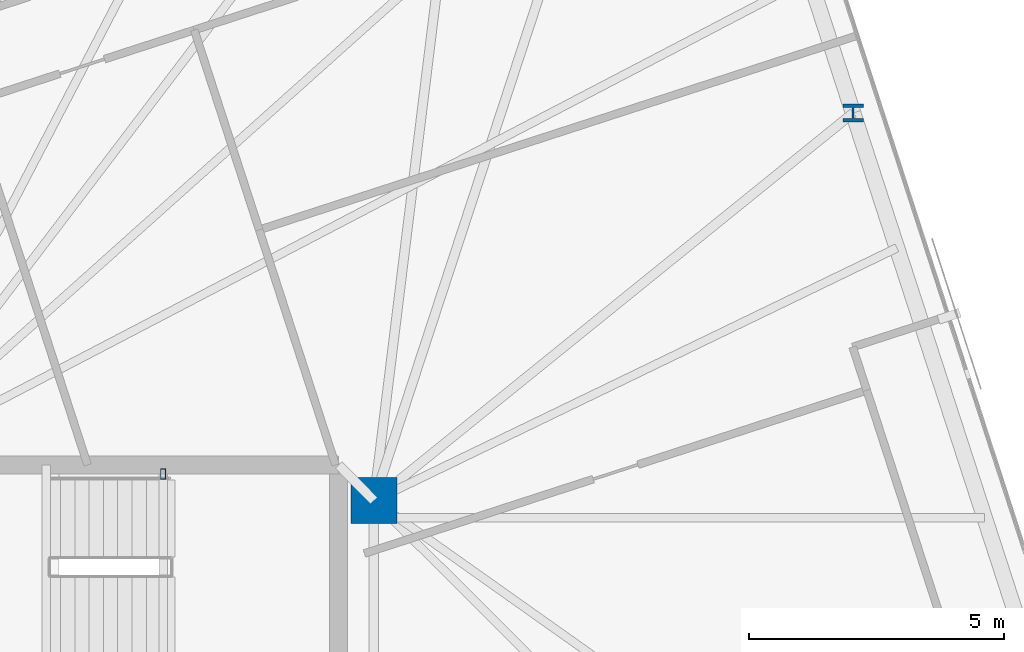
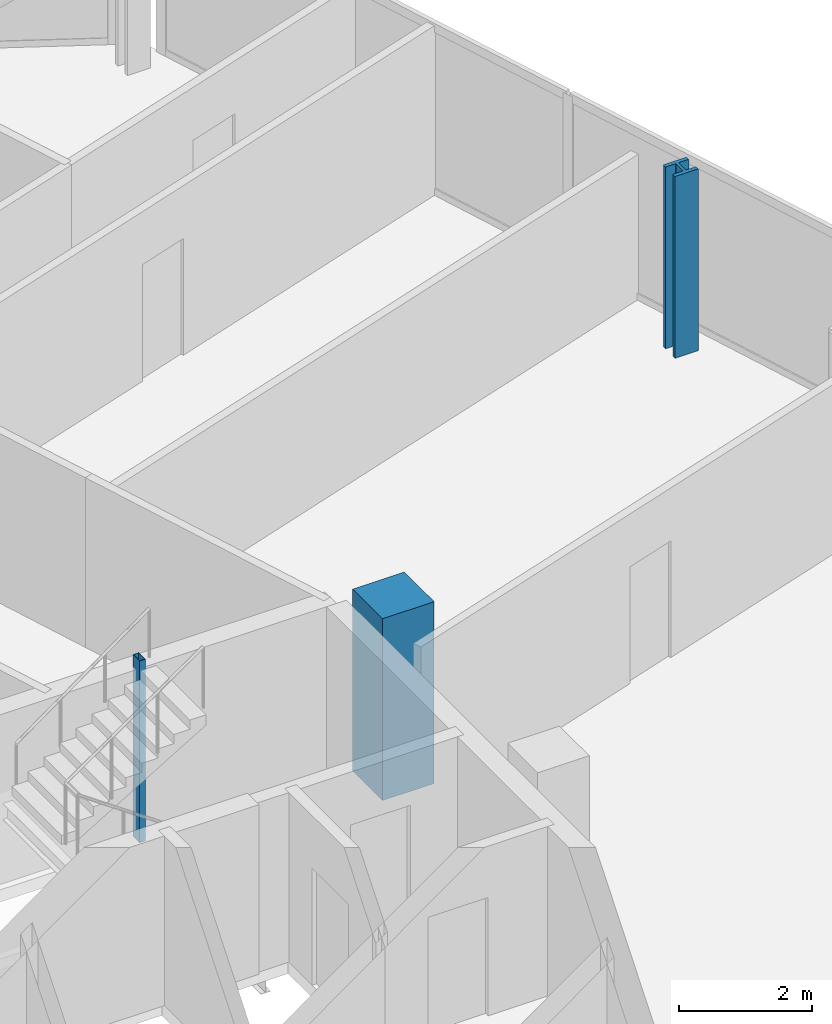
# One storey, part 3 of 20: 3 columns.
"""IFC4 building model written with IfcOpenShell, lengths in metres."""

from ifc_helpers import new_model, si_unit, direction, frame, origin, origin_2d, place, context, subcontext, project, spatial, rectangle, hollow_rectangle, i_section, extrude, material, material_profile, profile_set, type_object, element, save


model = new_model("IFC4")

# Units and contexts
model_context = context("Model", 3, precision=1e-05, world=origin(), true_north=direction((0.0, 1.0)))
body_context = subcontext(model_context, "Body", "Model", "MODEL_VIEW")
ifc_project = project(units=[si_unit("LENGTHUNIT", "METRE"), si_unit("AREAUNIT", "SQUARE_METRE"), si_unit("VOLUMEUNIT", "CUBIC_METRE"), si_unit("PLANEANGLEUNIT", "RADIAN"), si_unit("MASSUNIT", "GRAM", prefix="KILO")], contexts=[model_context])

# Site, building, storey
site_placement = place(None, origin())
site = spatial("IfcSite", under=ifc_project, at=site_placement, CompositionType="ELEMENT")
building_placement = place(site_placement, origin())
building = spatial("IfcBuilding", under=site, at=building_placement, Name="Menara Jurai Vektor", CompositionType="ELEMENT")
storey_placement = place(building_placement, frame((0.0, 0.0, 217.60009765625)))
storey = spatial("IfcBuildingStorey", under=building, at=storey_placement, Name="L57", CompositionType="ELEMENT", Elevation=217.60009765625)

# Columns
ifc_material_1 = material(Name="Concrete C50/60", Category="concrete")
ifc_material_profile_1 = material_profile(ifc_material_1, rectangle(XDim=0.89990234375, YDim=0.89990234375, at=origin_2d()), Name="RC 900x900")
ifc_profile_set_1 = profile_set([ifc_material_profile_1], Name="Concrete C50/60")
column_type_1 = type_object("IfcColumnType", Name="STR-COL-RC900", PredefinedType="COLUMN", material=ifc_profile_set_1)
column_1_placement = place(storey_placement, frame((15.25, 4.89990234375, 0.0), z_axis=(0.0, 0.0, 1.0), x_axis=(1.0, 0.0, 0.0)))
element("IfcColumn", 1, at=column_1_placement, inside=storey, type_object=column_type_1, Name="Core Spine Column CE-NE L57", PredefinedType="COLUMN", context=body_context, shape_type="SweptSolid", body=[
    extrude(rectangle(XDim=0.89990234375, YDim=0.89990234375, at=origin_2d()), origin(), (0.0, 0.0, 1.0), 3.349853515625),
])
ifc_material_2 = material(Name="Steel S355", Category="steel")
ifc_material_profile_2 = material_profile(ifc_material_2, hollow_rectangle(XDim=0.10009765625, YDim=0.199951171875, WallThickness=0.008056640625, at=origin_2d()), Name="RHS 200x100x8")
ifc_profile_set_2 = profile_set([ifc_material_profile_2], Name="Steel S355")
column_type_2 = type_object("IfcColumnType", Name="STR-COL-STAIR", PredefinedType="COLUMN", material=ifc_profile_set_2)
column_2_placement = place(storey_placement, frame((11.1201171875, 5.419921875, 0.0), z_axis=(0.0, 0.0, 1.0), x_axis=(1.0, 0.0, 0.0)))
element("IfcColumn", 2, at=column_2_placement, inside=storey, type_object=column_type_2, Name="Stair Well Header Column ST2-P2 L57", PredefinedType="COLUMN", context=body_context, shape_type="SweptSolid", body=[
    extrude(hollow_rectangle(XDim=0.10009765625, YDim=0.199951171875, WallThickness=0.008056640625, at=origin_2d()), origin(), (0.0, 0.0, 1.0), 3.349853515625),
])
ifc_material_3 = material(Name="Steel S460", Category="steel")
ifc_material_profile_3 = material_profile(ifc_material_3, i_section(OverallWidth=0.405029296875, OverallDepth=0.35498046875, WebThickness=0.0419921875, FlangeThickness=0.068115234375, FilletRadius=0.014892578125, at=origin_2d()), Name="HD 400x551")
ifc_profile_set_3 = profile_set([ifc_material_profile_3], Name="Steel S460")
column_type_3 = type_object("IfcColumnType", Name="STR-EXO-BLK4", PredefinedType="COLUMN", material=ifc_profile_set_3)
column_3_placement = place(storey_placement, frame((24.641845703125, 12.496826171875, 0.0), z_axis=(0.0, 0.0, 1.0), x_axis=(1.0, 0.0, 0.0)))
element("IfcColumn", 3, at=column_3_placement, inside=storey, type_object=column_type_3, Name="Exoskeleton Column BLK4-E3 L57", PredefinedType="COLUMN", context=body_context, shape_type="SweptSolid", body=[
    extrude(i_section(OverallWidth=0.405029296875, OverallDepth=0.35498046875, WebThickness=0.0419921875, FlangeThickness=0.068115234375, FilletRadius=0.014892578125, at=origin_2d()), origin(), (0.0, 0.0, 1.0), 3.349853515625),
])

save(model, "model.ifc")
